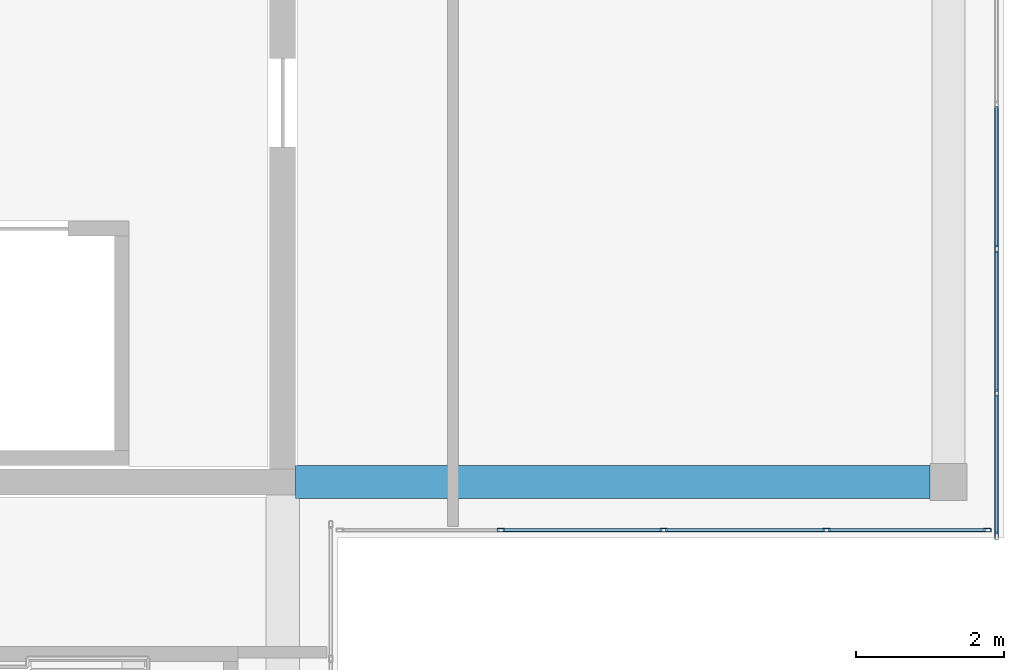
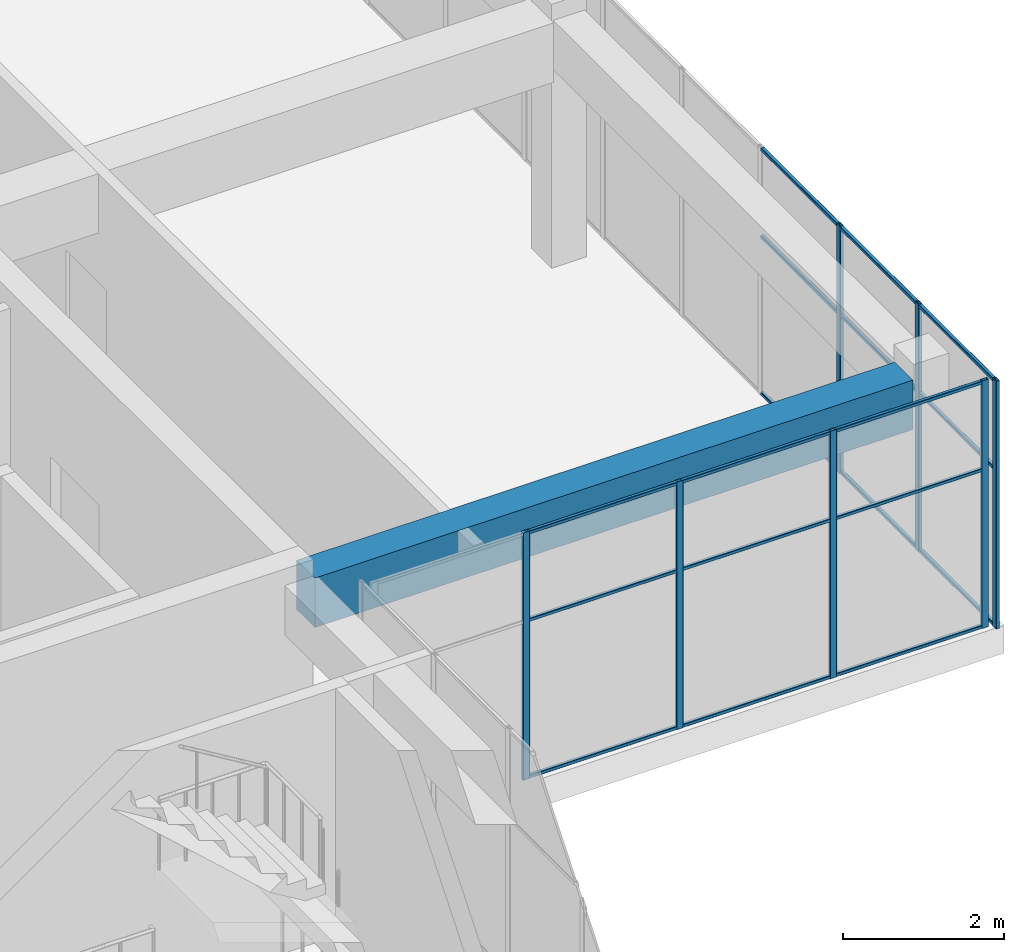
# One storey, part 14 of 34: 25 members, 1 beam, 2 elements without a shape of their own.
"""IFC4 building model written with IfcOpenShell, lengths in metres."""

from ifc_helpers import new_model, si_unit, direction, frame, origin, origin_2d, place, context, subcontext, project, spatial, rectangle, hollow_rectangle, extrude, material, layer, layer_set, material_profile, profile_set, type_object, element, aggregate, save


model = new_model("IFC4")

# Units and contexts
model_context = context("Model", 3, precision=1e-05, world=origin(), true_north=direction((0.0, 1.0)))
body_context = subcontext(model_context, "Body", "Model", "MODEL_VIEW")
ifc_project = project(units=[si_unit("LENGTHUNIT", "METRE"), si_unit("AREAUNIT", "SQUARE_METRE"), si_unit("VOLUMEUNIT", "CUBIC_METRE"), si_unit("PLANEANGLEUNIT", "RADIAN"), si_unit("MASSUNIT", "GRAM", prefix="KILO")], contexts=[model_context])

# Site, building, storey
site_placement = place(None, origin())
site = spatial("IfcSite", under=ifc_project, at=site_placement, CompositionType="ELEMENT")
building_placement = place(site_placement, origin())
building = spatial("IfcBuilding", under=site, at=building_placement, Name="Tuart Plaza Theatre", CompositionType="ELEMENT")
storey_placement = place(building_placement, frame((0.0, 0.0, 53.5)))
storey = spatial("IfcBuildingStorey", under=building, at=storey_placement, Name="L13", CompositionType="ELEMENT", Elevation=53.5)

# Beam
ifc_material_1 = material(Name="Concrete N40 (40 MPa)", Category="concrete")
ifc_material_profile_1 = material_profile(ifc_material_1, rectangle(XDim=0.449951171875, YDim=0.75, at=origin_2d()), Name="BEAM 450x750 Concrete N40 (40 MPa)")
ifc_profile_set_1 = profile_set([ifc_material_profile_1], Name="Concrete N40 (40 MPa)")
beam_type = type_object("IfcBeamType", Name="BEAM 450x750 Concrete N40 (40 MPa)", PredefinedType="BEAM", material=ifc_profile_set_1)
beam_placement = place(storey_placement, frame((141.175048828125, 65.0, 3.375), z_axis=(1.0, 0.0, 0.0), x_axis=(0.0, 1.0, 0.0)))
element("IfcBeam", 1, at=beam_placement, inside=storey, type_object=beam_type, Name="RB342", PredefinedType="BEAM", context=body_context, shape_type="SweptSolid", body=[
    extrude(rectangle(XDim=0.449951171875, YDim=0.75, at=origin_2d()), origin(), (0.0, 0.0, 1.0), 8.574951171875),
])

# Curtain wall, members
ifc_material_2 = material(Name="Aluminium and glass", Category="aluminium")
ifc_layer = layer(ifc_material_2, 0.10009765625)
ifc_layer_set = layer_set([ifc_layer], Name="CURTAIN WALL 2000 module")
curtain_wall_type = type_object("IfcCurtainWallType", Name="CURTAIN WALL 2000 module", PredefinedType="NOTDEFINED", material=ifc_layer_set)
curtain_wall_1_placement = place(storey_placement, origin())
curtain_wall_1 = element("IfcCurtainWall", 2, at=curtain_wall_1_placement, inside=storey, type_object=curtain_wall_type, Name="CW113", PredefinedType="NOTDEFINED")
ifc_material_3 = material(Name="Aluminium 6063-T5", Category="aluminium")
ifc_material_profile_2 = material_profile(ifc_material_3, hollow_rectangle(XDim=0.050048828125, YDim=0.10009765625, WallThickness=0.00390625, InnerFilletRadius=0.00390625, OuterFilletRadius=0.008056640625, at=origin_2d()), Name="RHS 100x50x4")
ifc_profile_set_2 = profile_set([ifc_material_profile_2], Name="Aluminium 6063-T5")
member_type_1 = type_object("IfcMemberType", Name="MULLION RHS 100x50x4", PredefinedType="MULLION", material=ifc_profile_set_2)
member_1_placement = place(storey_placement, frame((143.949951171875, 64.35009765625, 0.0), z_axis=(0.0, 0.0, 1.0), x_axis=(0.0, 1.0, 0.0)))
member_1 = element("IfcMember", 3, at=member_1_placement, type_object=member_type_1, Name="CW113 mullion 2", PredefinedType="MULLION", context=body_context, shape_type="SweptSolid", body=[
    extrude(hollow_rectangle(XDim=0.050048828125, YDim=0.10009765625, WallThickness=0.00390625, InnerFilletRadius=0.00390625, OuterFilletRadius=0.008056640625, at=origin_2d()), origin(), (0.0, 0.0, 1.0), 3.75),
])
member_2_placement = place(storey_placement, frame((146.14990234375, 64.35009765625, 0.0), z_axis=(0.0, 0.0, 1.0), x_axis=(0.0, 1.0, 0.0)))
member_2 = element("IfcMember", 4, at=member_2_placement, type_object=member_type_1, Name="CW113 mullion 3", PredefinedType="MULLION", context=body_context, shape_type="SweptSolid", body=[
    extrude(hollow_rectangle(XDim=0.050048828125, YDim=0.10009765625, WallThickness=0.00390625, InnerFilletRadius=0.00390625, OuterFilletRadius=0.008056640625, at=origin_2d()), origin(), (0.0, 0.0, 1.0), 3.75),
])
member_3_placement = place(storey_placement, frame((148.35009765625, 64.35009765625, 0.0), z_axis=(0.0, 0.0, 1.0), x_axis=(0.0, 1.0, 0.0)))
member_3 = element("IfcMember", 5, at=member_3_placement, type_object=member_type_1, Name="CW113 mullion 4", PredefinedType="MULLION", context=body_context, shape_type="SweptSolid", body=[
    extrude(hollow_rectangle(XDim=0.050048828125, YDim=0.10009765625, WallThickness=0.00390625, InnerFilletRadius=0.00390625, OuterFilletRadius=0.008056640625, at=origin_2d()), origin(), (0.0, 0.0, 1.0), 3.75),
])
member_4_placement = place(storey_placement, frame((150.52490234375, 64.35009765625, 0.0), z_axis=(0.0, 0.0, 1.0), x_axis=(0.0, 1.0, 0.0)))
member_4 = element("IfcMember", 6, at=member_4_placement, type_object=member_type_1, Name="CW113 mullion 5", PredefinedType="MULLION", context=body_context, shape_type="SweptSolid", body=[
    extrude(hollow_rectangle(XDim=0.050048828125, YDim=0.10009765625, WallThickness=0.00390625, InnerFilletRadius=0.00390625, OuterFilletRadius=0.008056640625, at=origin_2d()), origin(), (0.0, 0.0, 1.0), 3.75),
])

curtain_wall_2_placement = place(storey_placement, origin())
curtain_wall_2 = element("IfcCurtainWall", 7, at=curtain_wall_2_placement, inside=storey, type_object=curtain_wall_type, Name="CW114", PredefinedType="NOTDEFINED")
member_5_placement = place(storey_placement, frame((150.64990234375, 64.27490234375, 0.0), z_axis=(0.0, 0.0, 1.0), x_axis=(-1.0, 0.0, 0.0)))
member_5 = element("IfcMember", 8, at=member_5_placement, type_object=member_type_1, Name="CW114 mullion 1", PredefinedType="MULLION", context=body_context, shape_type="SweptSolid", body=[
    extrude(hollow_rectangle(XDim=0.050048828125, YDim=0.10009765625, WallThickness=0.00390625, InnerFilletRadius=0.00390625, OuterFilletRadius=0.008056640625, at=origin_2d()), origin(), (0.0, 0.0, 1.0), 3.75),
])
member_6_placement = place(storey_placement, frame((150.64990234375, 66.199951171875, 0.0), z_axis=(0.0, 0.0, 1.0), x_axis=(-1.0, 0.0, 0.0)))
member_6 = element("IfcMember", 9, at=member_6_placement, type_object=member_type_1, Name="CW114 mullion 2", PredefinedType="MULLION", context=body_context, shape_type="SweptSolid", body=[
    extrude(hollow_rectangle(XDim=0.050048828125, YDim=0.10009765625, WallThickness=0.00390625, InnerFilletRadius=0.00390625, OuterFilletRadius=0.008056640625, at=origin_2d()), origin(), (0.0, 0.0, 1.0), 3.75),
])
member_7_placement = place(storey_placement, frame((150.64990234375, 68.14990234375, 0.0), z_axis=(0.0, 0.0, 1.0), x_axis=(-1.0, 0.0, 0.0)))
member_7 = element("IfcMember", 10, at=member_7_placement, type_object=member_type_1, Name="CW114 mullion 3", PredefinedType="MULLION", context=body_context, shape_type="SweptSolid", body=[
    extrude(hollow_rectangle(XDim=0.050048828125, YDim=0.10009765625, WallThickness=0.00390625, InnerFilletRadius=0.00390625, OuterFilletRadius=0.008056640625, at=origin_2d()), origin(), (0.0, 0.0, 1.0), 3.75),
])

# Member
ifc_material_4 = material(Name="Aluminium 6063-T5", Category="aluminium")
ifc_material_profile_3 = material_profile(ifc_material_4, hollow_rectangle(XDim=0.050048828125, YDim=0.050048828125, WallThickness=0.00390625, InnerFilletRadius=0.00390625, OuterFilletRadius=0.008056640625, at=origin_2d()), Name="RHS 50x50x4")
ifc_profile_set_3 = profile_set([ifc_material_profile_3], Name="Aluminium 6063-T5")
member_type_2 = type_object("IfcMemberType", Name="TRANSOM RHS 50x50x4", PredefinedType="USERDEFINED", material=ifc_profile_set_3)
member_8_placement = place(storey_placement, frame((143.97509765625, 64.35009765625, 0.02490234375), z_axis=(1.0, 0.0, 0.0), x_axis=(0.0, 1.0, 0.0)))
member_8 = element("IfcMember", 11, at=member_8_placement, type_object=member_type_2, Name="CW113 transom 2.1", ObjectType="TRANSOM", PredefinedType="USERDEFINED", context=body_context, shape_type="SweptSolid", body=[
    extrude(hollow_rectangle(XDim=0.050048828125, YDim=0.050048828125, WallThickness=0.00390625, InnerFilletRadius=0.00390625, OuterFilletRadius=0.008056640625, at=origin_2d()), origin(), (0.0, 0.0, 1.0), 2.14990234375),
])

member_9_placement = place(storey_placement, frame((143.97509765625, 64.35009765625, 2.39990234375), z_axis=(1.0, 0.0, 0.0), x_axis=(0.0, 1.0, 0.0)))
member_9 = element("IfcMember", 12, at=member_9_placement, type_object=member_type_2, Name="CW113 transom 2.2", ObjectType="TRANSOM", PredefinedType="USERDEFINED", context=body_context, shape_type="SweptSolid", body=[
    extrude(hollow_rectangle(XDim=0.050048828125, YDim=0.050048828125, WallThickness=0.00390625, InnerFilletRadius=0.00390625, OuterFilletRadius=0.008056640625, at=origin_2d()), origin(), (0.0, 0.0, 1.0), 2.14990234375),
])

member_10_placement = place(storey_placement, frame((143.97509765625, 64.35009765625, 3.72509765625), z_axis=(1.0, 0.0, 0.0), x_axis=(0.0, 1.0, 0.0)))
member_10 = element("IfcMember", 13, at=member_10_placement, type_object=member_type_2, Name="CW113 transom 2.3", ObjectType="TRANSOM", PredefinedType="USERDEFINED", context=body_context, shape_type="SweptSolid", body=[
    extrude(hollow_rectangle(XDim=0.050048828125, YDim=0.050048828125, WallThickness=0.00390625, InnerFilletRadius=0.00390625, OuterFilletRadius=0.008056640625, at=origin_2d()), origin(), (0.0, 0.0, 1.0), 2.14990234375),
])

member_11_placement = place(storey_placement, frame((146.175048828125, 64.35009765625, 0.02490234375), z_axis=(1.0, 0.0, 0.0), x_axis=(0.0, 1.0, 0.0)))
member_11 = element("IfcMember", 14, at=member_11_placement, type_object=member_type_2, Name="CW113 transom 3.1", ObjectType="TRANSOM", PredefinedType="USERDEFINED", context=body_context, shape_type="SweptSolid", body=[
    extrude(hollow_rectangle(XDim=0.050048828125, YDim=0.050048828125, WallThickness=0.00390625, InnerFilletRadius=0.00390625, OuterFilletRadius=0.008056640625, at=origin_2d()), origin(), (0.0, 0.0, 1.0), 2.14990234375),
])

member_12_placement = place(storey_placement, frame((146.175048828125, 64.35009765625, 2.39990234375), z_axis=(1.0, 0.0, 0.0), x_axis=(0.0, 1.0, 0.0)))
member_12 = element("IfcMember", 15, at=member_12_placement, type_object=member_type_2, Name="CW113 transom 3.2", ObjectType="TRANSOM", PredefinedType="USERDEFINED", context=body_context, shape_type="SweptSolid", body=[
    extrude(hollow_rectangle(XDim=0.050048828125, YDim=0.050048828125, WallThickness=0.00390625, InnerFilletRadius=0.00390625, OuterFilletRadius=0.008056640625, at=origin_2d()), origin(), (0.0, 0.0, 1.0), 2.14990234375),
])

member_13_placement = place(storey_placement, frame((146.175048828125, 64.35009765625, 3.72509765625), z_axis=(1.0, 0.0, 0.0), x_axis=(0.0, 1.0, 0.0)))
member_13 = element("IfcMember", 16, at=member_13_placement, type_object=member_type_2, Name="CW113 transom 3.3", ObjectType="TRANSOM", PredefinedType="USERDEFINED", context=body_context, shape_type="SweptSolid", body=[
    extrude(hollow_rectangle(XDim=0.050048828125, YDim=0.050048828125, WallThickness=0.00390625, InnerFilletRadius=0.00390625, OuterFilletRadius=0.008056640625, at=origin_2d()), origin(), (0.0, 0.0, 1.0), 2.14990234375),
])

member_14_placement = place(storey_placement, frame((148.375, 64.35009765625, 0.02490234375), z_axis=(1.0, 0.0, 0.0), x_axis=(0.0, 1.0, 0.0)))
member_14 = element("IfcMember", 17, at=member_14_placement, type_object=member_type_2, Name="CW113 transom 4.1", ObjectType="TRANSOM", PredefinedType="USERDEFINED", context=body_context, shape_type="SweptSolid", body=[
    extrude(hollow_rectangle(XDim=0.050048828125, YDim=0.050048828125, WallThickness=0.00390625, InnerFilletRadius=0.00390625, OuterFilletRadius=0.008056640625, at=origin_2d()), origin(), (0.0, 0.0, 1.0), 2.125),
])

member_15_placement = place(storey_placement, frame((148.375, 64.35009765625, 2.39990234375), z_axis=(1.0, 0.0, 0.0), x_axis=(0.0, 1.0, 0.0)))
member_15 = element("IfcMember", 18, at=member_15_placement, type_object=member_type_2, Name="CW113 transom 4.2", ObjectType="TRANSOM", PredefinedType="USERDEFINED", context=body_context, shape_type="SweptSolid", body=[
    extrude(hollow_rectangle(XDim=0.050048828125, YDim=0.050048828125, WallThickness=0.00390625, InnerFilletRadius=0.00390625, OuterFilletRadius=0.008056640625, at=origin_2d()), origin(), (0.0, 0.0, 1.0), 2.125),
])

member_16_placement = place(storey_placement, frame((148.375, 64.35009765625, 3.72509765625), z_axis=(1.0, 0.0, 0.0), x_axis=(0.0, 1.0, 0.0)))
member_16 = element("IfcMember", 19, at=member_16_placement, type_object=member_type_2, Name="CW113 transom 4.3", ObjectType="TRANSOM", PredefinedType="USERDEFINED", context=body_context, shape_type="SweptSolid", body=[
    extrude(hollow_rectangle(XDim=0.050048828125, YDim=0.050048828125, WallThickness=0.00390625, InnerFilletRadius=0.00390625, OuterFilletRadius=0.008056640625, at=origin_2d()), origin(), (0.0, 0.0, 1.0), 2.125),
])

aggregate(curtain_wall_1, [member_1, member_2, member_3, member_4, member_8, member_9, member_10, member_11, member_12, member_13, member_14, member_15, member_16])

member_17_placement = place(storey_placement, frame((150.64990234375, 64.300048828125, 0.02490234375), z_axis=(0.0, 1.0, 0.0), x_axis=(-1.0, 0.0, 0.0)))
member_17 = element("IfcMember", 20, at=member_17_placement, type_object=member_type_2, Name="CW114 transom 1.1", ObjectType="TRANSOM", PredefinedType="USERDEFINED", context=body_context, shape_type="SweptSolid", body=[
    extrude(hollow_rectangle(XDim=0.050048828125, YDim=0.050048828125, WallThickness=0.00390625, InnerFilletRadius=0.00390625, OuterFilletRadius=0.008056640625, at=origin_2d()), origin(), (0.0, 0.0, 1.0), 1.875),
])

member_18_placement = place(storey_placement, frame((150.64990234375, 64.300048828125, 2.39990234375), z_axis=(0.0, 1.0, 0.0), x_axis=(-1.0, 0.0, 0.0)))
member_18 = element("IfcMember", 21, at=member_18_placement, type_object=member_type_2, Name="CW114 transom 1.2", ObjectType="TRANSOM", PredefinedType="USERDEFINED", context=body_context, shape_type="SweptSolid", body=[
    extrude(hollow_rectangle(XDim=0.050048828125, YDim=0.050048828125, WallThickness=0.00390625, InnerFilletRadius=0.00390625, OuterFilletRadius=0.008056640625, at=origin_2d()), origin(), (0.0, 0.0, 1.0), 1.875),
])

member_19_placement = place(storey_placement, frame((150.64990234375, 64.300048828125, 3.72509765625), z_axis=(0.0, 1.0, 0.0), x_axis=(-1.0, 0.0, 0.0)))
member_19 = element("IfcMember", 22, at=member_19_placement, type_object=member_type_2, Name="CW114 transom 1.3", ObjectType="TRANSOM", PredefinedType="USERDEFINED", context=body_context, shape_type="SweptSolid", body=[
    extrude(hollow_rectangle(XDim=0.050048828125, YDim=0.050048828125, WallThickness=0.00390625, InnerFilletRadius=0.00390625, OuterFilletRadius=0.008056640625, at=origin_2d()), origin(), (0.0, 0.0, 1.0), 1.875),
])

member_20_placement = place(storey_placement, frame((150.64990234375, 66.22509765625, 0.02490234375), z_axis=(0.0, 1.0, 0.0), x_axis=(-1.0, 0.0, 0.0)))
member_20 = element("IfcMember", 23, at=member_20_placement, type_object=member_type_2, Name="CW114 transom 2.1", ObjectType="TRANSOM", PredefinedType="USERDEFINED", context=body_context, shape_type="SweptSolid", body=[
    extrude(hollow_rectangle(XDim=0.050048828125, YDim=0.050048828125, WallThickness=0.00390625, InnerFilletRadius=0.00390625, OuterFilletRadius=0.008056640625, at=origin_2d()), origin(), (0.0, 0.0, 1.0), 1.89990234375),
])

member_21_placement = place(storey_placement, frame((150.64990234375, 66.22509765625, 2.39990234375), z_axis=(0.0, 1.0, 0.0), x_axis=(-1.0, 0.0, 0.0)))
member_21 = element("IfcMember", 24, at=member_21_placement, type_object=member_type_2, Name="CW114 transom 2.2", ObjectType="TRANSOM", PredefinedType="USERDEFINED", context=body_context, shape_type="SweptSolid", body=[
    extrude(hollow_rectangle(XDim=0.050048828125, YDim=0.050048828125, WallThickness=0.00390625, InnerFilletRadius=0.00390625, OuterFilletRadius=0.008056640625, at=origin_2d()), origin(), (0.0, 0.0, 1.0), 1.89990234375),
])

member_22_placement = place(storey_placement, frame((150.64990234375, 66.22509765625, 3.72509765625), z_axis=(0.0, 1.0, 0.0), x_axis=(-1.0, 0.0, 0.0)))
member_22 = element("IfcMember", 25, at=member_22_placement, type_object=member_type_2, Name="CW114 transom 2.3", ObjectType="TRANSOM", PredefinedType="USERDEFINED", context=body_context, shape_type="SweptSolid", body=[
    extrude(hollow_rectangle(XDim=0.050048828125, YDim=0.050048828125, WallThickness=0.00390625, InnerFilletRadius=0.00390625, OuterFilletRadius=0.008056640625, at=origin_2d()), origin(), (0.0, 0.0, 1.0), 1.89990234375),
])

member_23_placement = place(storey_placement, frame((150.64990234375, 68.175048828125, 0.02490234375), z_axis=(0.0, 1.0, 0.0), x_axis=(-1.0, 0.0, 0.0)))
member_23 = element("IfcMember", 26, at=member_23_placement, type_object=member_type_2, Name="CW114 transom 3.1", ObjectType="TRANSOM", PredefinedType="USERDEFINED", context=body_context, shape_type="SweptSolid", body=[
    extrude(hollow_rectangle(XDim=0.050048828125, YDim=0.050048828125, WallThickness=0.00390625, InnerFilletRadius=0.00390625, OuterFilletRadius=0.008056640625, at=origin_2d()), origin(), (0.0, 0.0, 1.0), 1.89990234375),
])

member_24_placement = place(storey_placement, frame((150.64990234375, 68.175048828125, 2.39990234375), z_axis=(0.0, 1.0, 0.0), x_axis=(-1.0, 0.0, 0.0)))
member_24 = element("IfcMember", 27, at=member_24_placement, type_object=member_type_2, Name="CW114 transom 3.2", ObjectType="TRANSOM", PredefinedType="USERDEFINED", context=body_context, shape_type="SweptSolid", body=[
    extrude(hollow_rectangle(XDim=0.050048828125, YDim=0.050048828125, WallThickness=0.00390625, InnerFilletRadius=0.00390625, OuterFilletRadius=0.008056640625, at=origin_2d()), origin(), (0.0, 0.0, 1.0), 1.89990234375),
])

member_25_placement = place(storey_placement, frame((150.64990234375, 68.175048828125, 3.72509765625), z_axis=(0.0, 1.0, 0.0), x_axis=(-1.0, 0.0, 0.0)))
member_25 = element("IfcMember", 28, at=member_25_placement, type_object=member_type_2, Name="CW114 transom 3.3", ObjectType="TRANSOM", PredefinedType="USERDEFINED", context=body_context, shape_type="SweptSolid", body=[
    extrude(hollow_rectangle(XDim=0.050048828125, YDim=0.050048828125, WallThickness=0.00390625, InnerFilletRadius=0.00390625, OuterFilletRadius=0.008056640625, at=origin_2d()), origin(), (0.0, 0.0, 1.0), 1.89990234375),
])

aggregate(curtain_wall_2, [member_5, member_6, member_7, member_17, member_18, member_19, member_20, member_21, member_22, member_23, member_24, member_25])

save(model, "model.ifc")
